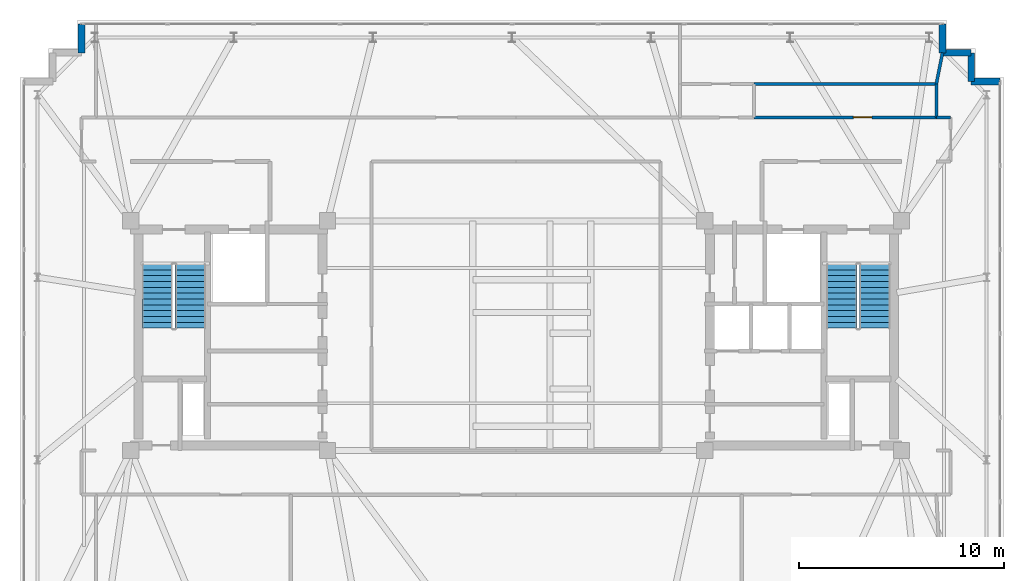
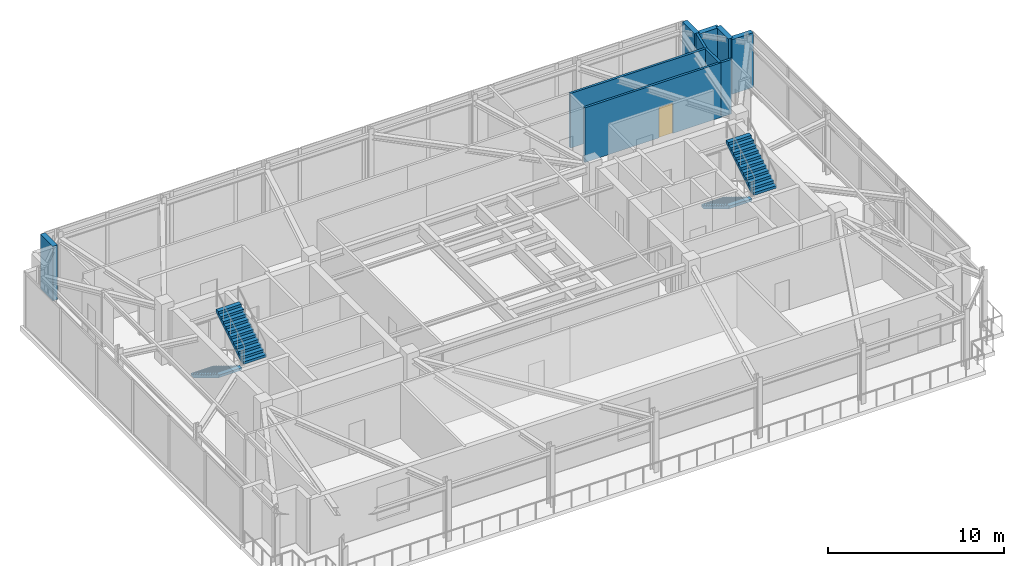
# One storey, part 21 of 24: 10 walls, 4 stair flights, 1 door, 1 opening, 2 elements without a shape of their own.
"""IFC4 building model written with IfcOpenShell, lengths in metres."""

import ifcopenshell
import ifcopenshell.guid

model = None  # the IFC model being written
_history = None  # IfcOwnerHistory: only IFC2X3 demands one
_inside = {}  # id of a spatial element -> (the spatial element, [elements in it])
_under = {}  # id of a project, library or spatial element -> (it, [spatial elements below it])
_declared = {}  # id of a project -> (the project, [libraries it declares])
_typed = {}  # id of a type object -> (the type object, [elements of that type])
_made_of = {}  # id of a material, layer set ... -> (it, [elements and type objects made of it])


def new_model(schema):
    """Start an empty IFC model of exactly this schema.

    Asked for "IFC4X3", IfcOpenShell would pick the latest addendum, in which some entities
    have other attributes; the version numbers below select the first issue.
    IFC2X3 requires an IfcOwnerHistory on every rooted entity: one is made here for all.
    """
    global model, _history
    if schema == "IFC4X3":
        model = ifcopenshell.file(schema_version=(4, 3, 0, 0))
    else:
        model = ifcopenshell.file(schema=schema)
    _inside.clear()
    _under.clear()
    _declared.clear()
    _typed.clear()
    _made_of.clear()
    _history = None
    if model.schema == "IFC2X3":
        org = make("IfcOrganization", Name="unknown")
        user = make(
            "IfcPersonAndOrganization",
            ThePerson=make("IfcPerson", FamilyName="unknown"),
            TheOrganization=org,
        )
        app = make(
            "IfcApplication",
            ApplicationDeveloper=org,
            Version="unknown",
            ApplicationFullName="unknown",
            ApplicationIdentifier="unknown",
        )
        _history = make(
            "IfcOwnerHistory",
            OwningUser=user,
            OwningApplication=app,
            ChangeAction="ADDED",
            CreationDate=0,
        )
    return model


def make(cls, **values):
    """One entity of the class cls with the attributes given. An attribute that is None is left unset."""
    return model.create_entity(
        cls, **{name: value for name, value in values.items() if value is not None}
    )


def rooted(cls, **values):
    """An entity with a GlobalId (a new one), such as an element, a storey or a relation."""
    return make(cls, GlobalId=ifcopenshell.guid.new(), OwnerHistory=_history, **values)


def si_unit(unit_type, name, prefix=None):
    """IfcSIUnit, for example si_unit("LENGTHUNIT", "METRE", prefix="MILLI")."""
    return make("IfcSIUnit", UnitType=unit_type, Prefix=prefix, Name=name)


def assignment(units):
    """IfcUnitAssignment: the units of a project."""
    return None if units is None else make("IfcUnitAssignment", Units=units)


def point(xyz):
    """IfcCartesianPoint."""
    return None if xyz is None else make("IfcCartesianPoint", Coordinates=xyz)


def direction(xyz):
    """IfcDirection."""
    return None if xyz is None else make("IfcDirection", DirectionRatios=xyz)


def frame(location, z_axis=None, x_axis=None):
    """IfcAxis2Placement3D, a coordinate frame: its origin and axes. An axis left out is left unset."""
    return make(
        "IfcAxis2Placement3D",
        Location=point(location),
        Axis=direction(z_axis),
        RefDirection=direction(x_axis),
    )


def frame_2d(location, x_axis=None):
    """IfcAxis2Placement2D, a coordinate frame in the plane: its origin and x axis."""
    return make(
        "IfcAxis2Placement2D", Location=point(location), RefDirection=direction(x_axis)
    )


def origin():
    """The frame at (0, 0, 0) with its axes left unset."""
    return frame((0.0, 0.0, 0.0))


def place(relative_to, where):
    """IfcLocalPlacement: puts the frame where relative to a parent placement (None: the world)."""
    return make(
        "IfcLocalPlacement", PlacementRelTo=relative_to, RelativePlacement=where
    )


def context(
    kind, dimensions, precision=None, world=None, true_north=None, identifier=None
):
    """IfcGeometricRepresentationContext, for example the 3D "Model" context."""
    return make(
        "IfcGeometricRepresentationContext",
        ContextIdentifier=identifier,
        ContextType=kind,
        CoordinateSpaceDimension=dimensions,
        Precision=precision,
        WorldCoordinateSystem=world,
        TrueNorth=true_north,
    )


def subcontext(parent, identifier, kind, view, scale=None):
    """IfcGeometricRepresentationSubContext, for example "Body" below "Model"."""
    return make(
        "IfcGeometricRepresentationSubContext",
        ContextIdentifier=identifier,
        ContextType=kind,
        ParentContext=parent,
        TargetScale=scale,
        TargetView=view,
    )


def project(units=None, contexts=None):
    """IfcProject with its units and contexts."""
    return rooted(
        "IfcProject",
        Name="project",
        RepresentationContexts=contexts,
        UnitsInContext=assignment(units),
    )


def spatial(cls, under=None, at=None, **own):
    """A site, building, storey or space (cls), placed at a placement, below another one or the project."""
    s = rooted(cls, ObjectPlacement=at, **own)
    if under is not None:
        _under.setdefault(under.id(), (under, []))[1].append(s)
    return s


def polyline(points):
    """IfcPolyline through the points."""
    return make("IfcPolyline", Points=[point(p) for p in points])


def profile(cls, at=None, kind="AREA", **sizes):
    """A parametric profile (cls). Its sizes go by their IFC names, for example OverallWidth=200.0."""
    return make(cls, ProfileType=kind, Position=at, **sizes)


def rectangle(**sizes):
    """IfcRectangleProfileDef."""
    return profile("IfcRectangleProfileDef", **sizes)


def outline(outer, holes=None, kind="AREA"):
    """IfcArbitraryClosedProfileDef: a profile drawn as a closed curve; with holes, ...WithVoids."""
    if holes is None:
        return make("IfcArbitraryClosedProfileDef", ProfileType=kind, OuterCurve=outer)
    return make(
        "IfcArbitraryProfileDefWithVoids",
        ProfileType=kind,
        OuterCurve=outer,
        InnerCurves=holes,
    )


def extrude(swept, where, along, depth):
    """IfcExtrudedAreaSolid: the profile swept, set in the frame where, extruded along a direction by depth."""
    return make(
        "IfcExtrudedAreaSolid",
        SweptArea=swept,
        Position=where,
        ExtrudedDirection=direction(along),
        Depth=depth,
    )


def shape(context_of_items, identifier, shape_type, items):
    """IfcShapeRepresentation: the items that make up one representation, for example the "Body"."""
    return make(
        "IfcShapeRepresentation",
        ContextOfItems=context_of_items,
        RepresentationIdentifier=identifier,
        RepresentationType=shape_type,
        Items=items,
    )


def material(Name=None, Category=None):
    """IfcMaterial."""
    return make("IfcMaterial", Name=Name, Category=Category)


def layer(
    of_material, thickness, ventilated=None, Name=None, Category=None, Priority=None
):
    """IfcMaterialLayer: one layer of a wall or slab, of a material (None: an air gap)."""
    return make(
        "IfcMaterialLayer",
        Material=of_material,
        LayerThickness=thickness,
        IsVentilated=ventilated,
        Name=Name,
        Category=Category,
        Priority=Priority,
    )


def layer_set(layers, Name=None):
    """IfcMaterialLayerSet."""
    return make("IfcMaterialLayerSet", MaterialLayers=layers, LayerSetName=Name)


def made_of(thing, what):
    """Note that an element or type object is made of a material, layer set ...; save() writes the relation."""
    if what is not None:
        _made_of.setdefault(what.id(), (what, []))[1].append(thing)
    return thing


def type_object(cls, material=None, **own):
    """A type object (cls), such as IfcWallType, which elements share."""
    return made_of(rooted(cls, **own), material)


def element(
    cls,
    number,
    at=None,
    inside=None,
    cuts=None,
    type_object=None,
    material=None,
    context=None,
    identifier="Body",
    shape_type=None,
    held_by="IfcProductDefinitionShape",
    body=None,
    shapes=None,
    **own,
):
    """One element of the class cls, such as IfcWall. Its Tag is "e" and its number.

    at: its placement. inside: the storey or other place that contains it. cuts: it is an
    opening in that element (IfcRelVoidsElement). A single representation is given by context,
    identifier, shape_type and body (its items); several are given by shapes. held_by: the class
    of the entity that holds the representations. save() writes the other relations.
    """
    e = rooted(cls, Tag="e%d" % number, ObjectPlacement=at, **own)
    if body is not None:
        shapes = [shape(context, identifier, shape_type, body)]
    if shapes is not None:
        e.Representation = make(held_by, Representations=shapes)
    if inside is not None:
        _inside.setdefault(inside.id(), (inside, []))[1].append(e)
    if cuts is not None:
        rooted(
            "IfcRelVoidsElement", RelatingBuildingElement=cuts, RelatedOpeningElement=e
        )
    if type_object is not None:
        _typed.setdefault(type_object.id(), (type_object, []))[1].append(e)
    return made_of(e, material)


def fill(opening, filler):
    """IfcRelFillsElement: the door or window that sits in an opening."""
    return rooted(
        "IfcRelFillsElement",
        RelatingOpeningElement=opening,
        RelatedBuildingElement=filler,
    )


def aggregate(whole, parts):
    """IfcRelAggregates: a whole, such as a stair, and the parts it consists of."""
    return rooted("IfcRelAggregates", RelatingObject=whole, RelatedObjects=parts)


def save(model, path):
    """Write the relations noted so far, then the file.

    IfcRelAggregates (storeys below a building ...), IfcRelContainedInSpatialStructure (elements
    in a storey), IfcRelDefinesByType, IfcRelAssociatesMaterial and IfcRelDeclares: one each for
    every whole, place, type object, material and project.
    """
    for whole, parts in _under.values():
        aggregate(whole, parts)
    for where, things in _inside.values():
        rooted(
            "IfcRelContainedInSpatialStructure",
            RelatedElements=things,
            RelatingStructure=where,
        )
    for kind, things in _typed.values():
        rooted("IfcRelDefinesByType", RelatedObjects=things, RelatingType=kind)
    for what, things in _made_of.values():
        rooted("IfcRelAssociatesMaterial", RelatedObjects=things, RelatingMaterial=what)
    for by, libraries in _declared.values():
        rooted("IfcRelDeclares", RelatingContext=by, RelatedDefinitions=libraries)
    model.write(path)


model = new_model("IFC4")

# Units and contexts
model_context = context("Model", 3, precision=1e-05, world=origin(), true_north=direction((0.0, 1.0)))
body_context = subcontext(model_context, "Body", "Model", "MODEL_VIEW")
ifc_project = project(units=[si_unit("LENGTHUNIT", "METRE"), si_unit("AREAUNIT", "SQUARE_METRE"), si_unit("VOLUMEUNIT", "CUBIC_METRE"), si_unit("PLANEANGLEUNIT", "RADIAN"), si_unit("MASSUNIT", "GRAM", prefix="KILO")], contexts=[model_context])

# Site, building, storey
site_placement = place(None, origin())
site = spatial("IfcSite", under=ifc_project, at=site_placement, CompositionType="ELEMENT")
building_placement = place(site_placement, origin())
building = spatial("IfcBuilding", under=site, at=building_placement, Name="Qobustan Lattice House", CompositionType="ELEMENT")
storey_placement = place(building_placement, frame((0.0, 0.0, 261.800048828125)))
storey = spatial("IfcBuildingStorey", under=building, at=storey_placement, Name="L74", CompositionType="ELEMENT", Elevation=261.800048828125)

# Walls
ifc_material_1 = material(Name="Precast concrete C40/50", Category="concrete")
ifc_layer_1 = layer(ifc_material_1, 0.320068359375)
ifc_layer_set_1 = layer_set([ifc_layer_1], Name="Precast concrete C40/50")
wall_type_1 = type_object("IfcWallType", Name="WAL-EXT-STONE-320", PredefinedType="SOLIDWALL", material=ifc_layer_set_1)
for number, where, z_axis, x_axis, name in (
    (1, (-21.199951171875, 13.800048828125, 0.0), (0.0, 0.0, 1.0), (0.0, 1.0, 0.0), "L74 exterior limestone-clad wall 9"),
    (2, (20.800048828125, 15.199951171875, 0.0), (0.0, 0.0, 1.0), (0.0, -1.0, 0.0), "L74 exterior limestone-clad wall 11"),
    (3, (20.800048828125, 13.800048828125, 0.0), (0.0, 0.0, 1.0), (1.0, 0.0, 0.0), "L74 exterior limestone-clad wall 12"),
):
    element("IfcWall", number, at=place(storey_placement, frame(where, z_axis=z_axis, x_axis=x_axis)), inside=storey, type_object=wall_type_1, Name=name, PredefinedType="SOLIDWALL", context=body_context, shape_type="SweptSolid", body=[
        extrude(rectangle(XDim=1.39990234375, YDim=0.320068359375, at=frame_2d((0.699951171875, 0.0))), origin(), (0.0, 0.0, 1.0), 3.780029296875),
    ])
for number, where, z_axis, x_axis, name in (
    (4, (22.199951171875, 13.800048828125, 0.0), (0.0, 0.0, 1.0), (0.0, -1.0, 0.0), "L74 exterior limestone-clad wall 13"),
    (5, (22.199951171875, 12.39990234375, 0.0), (0.0, 0.0, 1.0), (1.0, 0.0, 0.0), "L74 exterior limestone-clad wall 14"),
):
    element("IfcWall", number, at=place(storey_placement, frame(where, z_axis=z_axis, x_axis=x_axis)), inside=storey, type_object=wall_type_1, Name=name, PredefinedType="SOLIDWALL", context=body_context, shape_type="SweptSolid", body=[
        extrude(rectangle(XDim=1.400146484375, YDim=0.320068359375, at=frame_2d((0.7001953125, 0.0))), origin(), (0.0, 0.0, 1.0), 3.780029296875),
    ])
ifc_material_2 = material(Name="Acoustic twin-stud gypsum partition", Category="gypsum")
ifc_layer_2 = layer(ifc_material_2, 0.14990234375)
ifc_layer_set_2 = layer_set([ifc_layer_2], Name="Acoustic twin-stud gypsum partition")
wall_type_2 = type_object("IfcWallType", Name="WAL-PART-150", PredefinedType="PARTITIONING", material=ifc_layer_set_2)
wall_1_placement = place(storey_placement, frame((20.5, 10.64990234375, 0.0), z_axis=(0.0, 0.0, 1.0), x_axis=(1.0, 0.0, 0.0)))
element("IfcWall", 6, at=wall_1_placement, inside=storey, type_object=wall_type_2, Name="L74 interior partition 32", PredefinedType="PARTITIONING", context=body_context, shape_type="SweptSolid", body=[
    extrude(rectangle(XDim=0.699951171875, YDim=0.14990234375, at=frame_2d((0.35009765625, 0.0))), origin(), (0.0, 0.0, 1.0), 3.780029296875),
])
wall_2_placement = place(storey_placement, frame((20.5, 12.280029296875, 0.0), z_axis=(0.0, 0.0, 1.0), x_axis=(0.193660970649, 0.981068513636, 0.0)))
element("IfcWall", 7, at=wall_2_placement, inside=storey, type_object=wall_type_2, Name="L74 interior partition 58", PredefinedType="PARTITIONING", context=body_context, shape_type="SweptSolid", body=[
    extrude(rectangle(XDim=1.54931640625, YDim=0.14990234375, at=frame_2d((0.774658203125, 0.0))), origin(), (0.0, 0.0, 1.0), 3.780029296875),
])

# Wall, opening, door
ifc_material_3 = material(Name="Moisture-resistant acoustic plumbing wall", Category="gypsum")
ifc_layer_3 = layer(ifc_material_3, 0.14990234375)
ifc_layer_set_3 = layer_set([ifc_layer_3], Name="Moisture-resistant acoustic plumbing wall")
wall_type_3 = type_object("IfcWallType", Name="WAL-WET-150", PredefinedType="PLUMBINGWALL", material=ifc_layer_set_3)
wall_3_placement = place(storey_placement, frame((11.60009765625, 10.64990234375, 0.0), z_axis=(0.0, 0.0, 1.0), x_axis=(1.0, 0.0, 0.0)))
wall_3 = element("IfcWall", 8, at=wall_3_placement, inside=storey, type_object=wall_type_3, Name="L74 interior partition 36", PredefinedType="PLUMBINGWALL", context=body_context, shape_type="SweptSolid", body=[
    extrude(rectangle(XDim=8.89990234375, YDim=0.14990234375, at=frame_2d((4.449951171875, 0.0))), origin(), (0.0, 0.0, 1.0), 3.780029296875),
])
opening_placement = place(wall_3_placement, frame((4.85498046875, 0.0, 0.0)))
opening = element("IfcOpeningElement", 9, at=opening_placement, cuts=wall_3, Name="Opening WD-01", PredefinedType="OPENING", context=body_context, shape_type="SweptSolid", body=[
    extrude(rectangle(XDim=0.89990234375, YDim=2.10009765625, at=frame_2d((0.449951171875, 1.050048828125))), frame((0.0, 0.0849609375, 0.0), z_axis=(0.0, -1.0, 0.0), x_axis=(1.0, 0.0, 0.0)), (0.0, 0.0, 1.0), 0.169921875),
])
ifc_material_4 = material(Name="Persian walnut timber and steel frame door", Category="steel")
door_type = type_object("IfcDoorType", Name="DOR-WET-900x2100", OperationType="NOTDEFINED", PredefinedType="DOOR", material=ifc_material_4)
door_placement = place(opening_placement, origin())
door = element("IfcDoor", 10, at=door_placement, inside=storey, type_object=door_type, Name="L74 North-east floor corridor to Accessible WC door", OperationType="SINGLE_SWING_LEFT", OverallHeight=2.10009765625, OverallWidth=0.89990234375, PredefinedType="DOOR", context=body_context, shape_type="SweptSolid", body=[
    extrude(rectangle(XDim=0.89990234375, YDim=2.10009765625, at=frame_2d((0.449951171875, 1.050048828125))), frame((0.0, 0.02490234375, 0.0), z_axis=(0.0, -1.0, 0.0), x_axis=(1.0, 0.0, 0.0)), (0.0, 0.0, 1.0), 0.050048828125),
])
fill(opening, door)

# Walls
wall_4_placement = place(storey_placement, frame((20.5, 10.64990234375, 0.0), z_axis=(0.0, 0.0, 1.0), x_axis=(0.0, 1.0, 0.0)))
element("IfcWall", 11, at=wall_4_placement, inside=storey, type_object=wall_type_3, Name="L74 interior partition 57", PredefinedType="PLUMBINGWALL", context=body_context, shape_type="SweptSolid", body=[
    extrude(rectangle(XDim=1.630126953125, YDim=0.14990234375, at=frame_2d((0.81494140625, 0.0))), origin(), (0.0, 0.0, 1.0), 3.780029296875),
])
wall_5_placement = place(storey_placement, frame((11.60009765625, 12.280029296875, 0.0), z_axis=(0.0, 0.0, 1.0), x_axis=(1.0, 0.0, 0.0)))
element("IfcWall", 12, at=wall_5_placement, inside=storey, type_object=wall_type_3, Name="L74 interior partition 63", PredefinedType="PLUMBINGWALL", context=body_context, shape_type="SweptSolid", body=[
    extrude(rectangle(XDim=8.89990234375, YDim=0.14990234375, at=frame_2d((4.449951171875, 0.0))), origin(), (0.0, 0.0, 1.0), 3.780029296875),
])

# Stair, stair flights
ifc_material_5 = material(Name="Concrete C40/50", Category="concrete")
stair_type = type_object("IfcStairType", Name="STR-CORE-DOGLEG", PredefinedType="HALF_TURN_STAIR", material=ifc_material_5)
stair_1_placement = place(storey_placement, origin())
stair_1 = element("IfcStair", 13, at=stair_1_placement, inside=storey, type_object=stair_type, Name="L74 West protected exit stair ST-W1", PredefinedType="HALF_TURN_STAIR")
ifc_material_6 = material(Name="Concrete C40/50", Category="concrete")
stair_flight_type = type_object("IfcStairFlightType", Name="SFL-RC-1500", PredefinedType="STRAIGHT", material=ifc_material_6)
stair_flight_1_placement = place(storey_placement, frame((-17.5, 3.5, 0.0), z_axis=(0.0, 0.0, 1.0), x_axis=(0.0, -1.0, 0.0)))
stair_flight_1 = element("IfcStairFlight", 14, at=stair_flight_1_placement, type_object=stair_flight_type, Name="ST-W1 flight 1", NumberOfRisers=12, NumberOfTreads=11, PredefinedType="STRAIGHT", RiserHeight=0.175, TreadLength=0.285, context=body_context, shape_type="SweptSolid", body=[
    extrude(outline(polyline([(0.0, 0.0), (0.0, 0.175048828125), (0.284912109375, 0.175048828125), (0.284912109375, 0.35009765625), (0.570068359375, 0.35009765625), (0.570068359375, 0.52490234375), (0.85498046875, 0.52490234375), (0.85498046875, 0.699951171875), (1.139892578125, 0.699951171875), (1.139892578125, 0.875), (1.425048828125, 0.875), (1.425048828125, 1.050048828125), (1.7099609375, 1.050048828125), (1.7099609375, 1.22509765625), (1.9951171875, 1.22509765625), (1.9951171875, 1.39990234375), (2.280029296875, 1.39990234375), (2.280029296875, 1.574951171875), (2.56494140625, 1.574951171875), (2.56494140625, 1.75), (2.85009765625, 1.75), (2.85009765625, 1.925048828125), (3.135009765625, 1.925048828125), (3.135009765625, 2.10009765625), (3.135009765625, 1.7490234375), (0.286376953125, 0.0), (0.0, 0.0)])), frame((0.0, 0.75, 0.0), z_axis=(0.0, -1.0, 0.0), x_axis=(1.0, 0.0, 0.0)), (0.0, 0.0, 1.0), 1.5),
])
stair_flight_2_placement = place(storey_placement, frame((-15.8798828125, 0.364990234375, 2.099853515625), z_axis=(0.0, 0.0, 1.0), x_axis=(0.0, 1.0, 0.0)))
stair_flight_2 = element("IfcStairFlight", 15, at=stair_flight_2_placement, type_object=stair_flight_type, Name="ST-W1 flight 2", NumberOfRisers=12, NumberOfTreads=11, PredefinedType="STRAIGHT", RiserHeight=0.175, TreadLength=0.285, context=body_context, shape_type="SweptSolid", body=[
    extrude(outline(polyline([(0.0, 0.0), (0.0, 0.175048828125), (0.284912109375, 0.175048828125), (0.284912109375, 0.35009765625), (0.570068359375, 0.35009765625), (0.570068359375, 0.52490234375), (0.85498046875, 0.52490234375), (0.85498046875, 0.699951171875), (1.139892578125, 0.699951171875), (1.139892578125, 0.875), (1.425048828125, 0.875), (1.425048828125, 1.050048828125), (1.7099609375, 1.050048828125), (1.7099609375, 1.22509765625), (1.9951171875, 1.22509765625), (1.9951171875, 1.39990234375), (2.280029296875, 1.39990234375), (2.280029296875, 1.574951171875), (2.56494140625, 1.574951171875), (2.56494140625, 1.75), (2.85009765625, 1.75), (2.85009765625, 1.925048828125), (3.135009765625, 1.925048828125), (3.135009765625, 2.10009765625), (3.135009765625, 1.7490234375), (0.286376953125, 0.0), (0.0, 0.0)])), frame((0.0, 0.75, 0.0), z_axis=(0.0, -1.0, 0.0), x_axis=(1.0, 0.0, 0.0)), (0.0, 0.0, 1.0), 1.5),
])
aggregate(stair_1, [stair_flight_1, stair_flight_2])

stair_2_placement = place(storey_placement, origin())
stair_2 = element("IfcStair", 16, at=stair_2_placement, inside=storey, type_object=stair_type, Name="L74 East protected exit stair ST-E1", PredefinedType="HALF_TURN_STAIR")
stair_flight_3_placement = place(storey_placement, frame((15.8798828125, 3.5, 0.0), z_axis=(0.0, 0.0, 1.0), x_axis=(0.0, -1.0, 0.0)))
stair_flight_3 = element("IfcStairFlight", 17, at=stair_flight_3_placement, type_object=stair_flight_type, Name="ST-E1 flight 1", NumberOfRisers=12, NumberOfTreads=11, PredefinedType="STRAIGHT", RiserHeight=0.175, TreadLength=0.285, context=body_context, shape_type="SweptSolid", body=[
    extrude(outline(polyline([(0.0, 0.0), (0.0, 0.175048828125), (0.284912109375, 0.175048828125), (0.284912109375, 0.35009765625), (0.570068359375, 0.35009765625), (0.570068359375, 0.52490234375), (0.85498046875, 0.52490234375), (0.85498046875, 0.699951171875), (1.139892578125, 0.699951171875), (1.139892578125, 0.875), (1.425048828125, 0.875), (1.425048828125, 1.050048828125), (1.7099609375, 1.050048828125), (1.7099609375, 1.22509765625), (1.9951171875, 1.22509765625), (1.9951171875, 1.39990234375), (2.280029296875, 1.39990234375), (2.280029296875, 1.574951171875), (2.56494140625, 1.574951171875), (2.56494140625, 1.75), (2.85009765625, 1.75), (2.85009765625, 1.925048828125), (3.135009765625, 1.925048828125), (3.135009765625, 2.10009765625), (3.135009765625, 1.7490234375), (0.286376953125, 0.0), (0.0, 0.0)])), frame((0.0, 0.75, 0.0), z_axis=(0.0, -1.0, 0.0), x_axis=(1.0, 0.0, 0.0)), (0.0, 0.0, 1.0), 1.5),
])
stair_flight_4_placement = place(storey_placement, frame((17.5, 0.364990234375, 2.099853515625), z_axis=(0.0, 0.0, 1.0), x_axis=(0.0, 1.0, 0.0)))
stair_flight_4 = element("IfcStairFlight", 18, at=stair_flight_4_placement, type_object=stair_flight_type, Name="ST-E1 flight 2", NumberOfRisers=12, NumberOfTreads=11, PredefinedType="STRAIGHT", RiserHeight=0.175, TreadLength=0.285, context=body_context, shape_type="SweptSolid", body=[
    extrude(outline(polyline([(0.0, 0.0), (0.0, 0.175048828125), (0.284912109375, 0.175048828125), (0.284912109375, 0.35009765625), (0.570068359375, 0.35009765625), (0.570068359375, 0.52490234375), (0.85498046875, 0.52490234375), (0.85498046875, 0.699951171875), (1.139892578125, 0.699951171875), (1.139892578125, 0.875), (1.425048828125, 0.875), (1.425048828125, 1.050048828125), (1.7099609375, 1.050048828125), (1.7099609375, 1.22509765625), (1.9951171875, 1.22509765625), (1.9951171875, 1.39990234375), (2.280029296875, 1.39990234375), (2.280029296875, 1.574951171875), (2.56494140625, 1.574951171875), (2.56494140625, 1.75), (2.85009765625, 1.75), (2.85009765625, 1.925048828125), (3.135009765625, 1.925048828125), (3.135009765625, 2.10009765625), (3.135009765625, 1.7490234375), (0.286376953125, 0.0), (0.0, 0.0)])), frame((0.0, 0.75, 0.0), z_axis=(0.0, -1.0, 0.0), x_axis=(1.0, 0.0, 0.0)), (0.0, 0.0, 1.0), 1.5),
])
aggregate(stair_2, [stair_flight_3, stair_flight_4])

save(model, "model.ifc")
